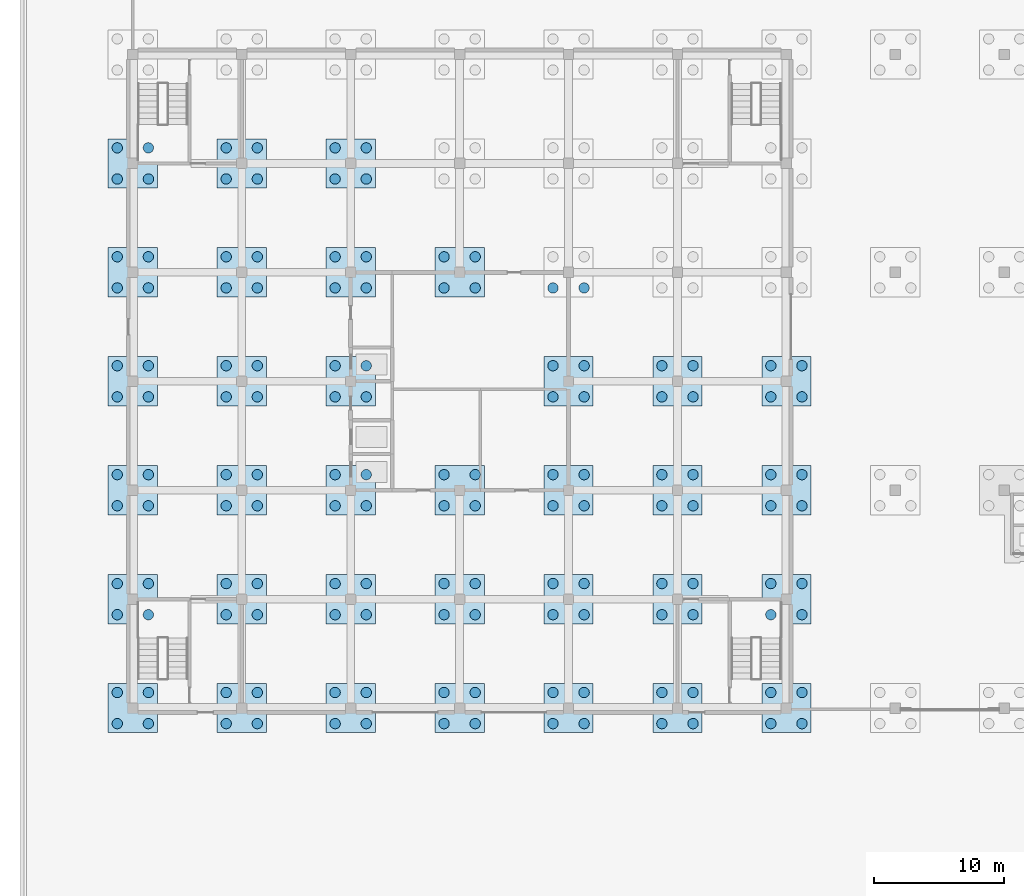
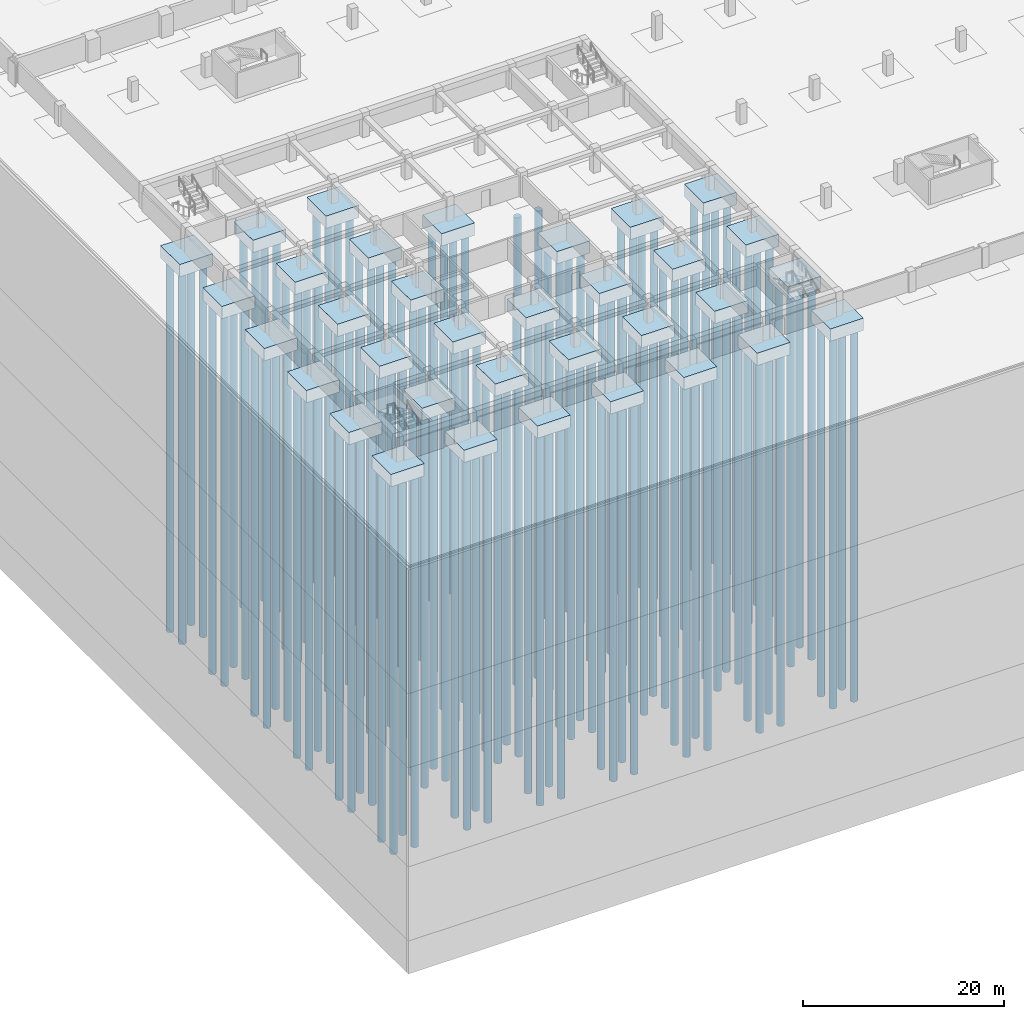
# One storey, part 1 of 67: 138 piles, 34 footings.
"""IFC4 building model written with IfcOpenShell, lengths in metres."""

from ifc_helpers import new_model, si_unit, direction, frame, origin, origin_2d, place, context, subcontext, project, spatial, polyline, circle, outline, extrude, material, material_profile, profile_set, type_object, element, save


model = new_model("IFC4")

# Units and contexts
model_context = context("Model", 3, precision=1e-05, world=origin(), true_north=direction((0.0, 1.0)))
body_context = subcontext(model_context, "Body", "Model", "MODEL_VIEW")
ifc_project = project(units=[si_unit("LENGTHUNIT", "METRE"), si_unit("AREAUNIT", "SQUARE_METRE"), si_unit("VOLUMEUNIT", "CUBIC_METRE"), si_unit("PLANEANGLEUNIT", "RADIAN"), si_unit("MASSUNIT", "GRAM", prefix="KILO")], contexts=[model_context])

# Site, building, storey
site_placement = place(None, origin())
site = spatial("IfcSite", under=ifc_project, at=site_placement, CompositionType="ELEMENT")
building_placement = place(site_placement, origin())
building = spatial("IfcBuilding", under=site, at=building_placement, Name="Rain Tree Exposition and Congress Centre", CompositionType="ELEMENT")
storey_placement = place(building_placement, frame((0.0, 0.0, -3.0)))
storey = spatial("IfcBuildingStorey", under=building, at=storey_placement, Name="B1", CompositionType="ELEMENT", Elevation=-3.0)

# Piles
ifc_material_1 = material(Name="Concrete C35/45", Category="concrete")
ifc_material_profile = material_profile(ifc_material_1, circle(Radius=0.39990234375, at=origin_2d()), Name="D800")
ifc_profile_set = profile_set([ifc_material_profile], Name="Concrete C35/45")
pile_type = type_object("IfcPileType", Name="Bored pile D800", PredefinedType="BORED", material=ifc_profile_set)
for number, where, z_axis, x_axis, name in (
    (1, (7.199951171875, -1.199951171875, -1.425048828125), (0.0, 0.0, -1.0), (1.0, 0.0, 0.0), "Bored pile 0001"),
    (2, (9.60009765625, -1.199951171875, -1.425048828125), (0.0, 0.0, -1.0), (1.0, 0.0, 0.0), "Bored pile 0002"),
    (3, (7.199951171875, 1.199951171875, -1.425048828125), (0.0, 0.0, -1.0), (1.0, 0.0, 0.0), "Bored pile 0003"),
    (4, (9.60009765625, 1.199951171875, -1.425048828125), (0.0, 0.0, -1.0), (1.0, 0.0, 0.0), "Bored pile 0004"),
    (5, (32.39990234375, -1.199951171875, -1.425048828125), (0.0, 0.0, -1.0), (1.0, 0.0, 0.0), "Bored pile 0005"),
    (6, (34.800048828125, -1.199951171875, -1.425048828125), (0.0, 0.0, -1.0), (1.0, 0.0, 0.0), "Bored pile 0006"),
    (7, (32.39990234375, 1.199951171875, -1.425048828125), (0.0, 0.0, -1.0), (1.0, 0.0, 0.0), "Bored pile 0007"),
    (8, (34.800048828125, 1.199951171875, -1.425048828125), (0.0, 0.0, -1.0), (1.0, 0.0, 0.0), "Bored pile 0008"),
    (9, (15.60009765625, -1.199951171875, -1.425048828125), (0.0, 0.0, -1.0), (1.0, 0.0, 0.0), "Bored pile 0009"),
    (10, (18.0, -1.199951171875, -1.425048828125), (0.0, 0.0, -1.0), (1.0, 0.0, 0.0), "Bored pile 0010"),
    (11, (15.60009765625, 1.199951171875, -1.425048828125), (0.0, 0.0, -1.0), (1.0, 0.0, 0.0), "Bored pile 0011"),
    (12, (18.0, 1.199951171875, -1.425048828125), (0.0, 0.0, -1.0), (1.0, 0.0, 0.0), "Bored pile 0012"),
    (13, (-1.199951171875, -1.199951171875, -1.425048828125), (0.0, 0.0, -1.0), (1.0, 0.0, 0.0), "Bored pile 0013"),
    (14, (1.199951171875, -1.199951171875, -1.425048828125), (0.0, 0.0, -1.0), (1.0, 0.0, 0.0), "Bored pile 0014"),
    (15, (-1.199951171875, 1.199951171875, -1.425048828125), (0.0, 0.0, -1.0), (1.0, 0.0, 0.0), "Bored pile 0015"),
    (16, (1.199951171875, 1.199951171875, -1.425048828125), (0.0, 0.0, -1.0), (1.0, 0.0, 0.0), "Bored pile 0016"),
    (17, (24.0, -1.199951171875, -1.425048828125), (0.0, 0.0, -1.0), (1.0, 0.0, 0.0), "Bored pile 0017"),
    (18, (26.39990234375, -1.199951171875, -1.425048828125), (0.0, 0.0, -1.0), (1.0, 0.0, 0.0), "Bored pile 0018"),
    (19, (24.0, 1.199951171875, -1.425048828125), (0.0, 0.0, -1.0), (1.0, 0.0, 0.0), "Bored pile 0019"),
    (20, (26.39990234375, 1.199951171875, -1.425048828125), (0.0, 0.0, -1.0), (1.0, 0.0, 0.0), "Bored pile 0020"),
    (21, (15.60009765625, 7.199951171875, -1.425048828125), (0.0, 0.0, -1.0), (1.0, 0.0, 0.0), "Bored pile 0021"),
    (22, (18.0, 7.199951171875, -1.425048828125), (0.0, 0.0, -1.0), (1.0, 0.0, 0.0), "Bored pile 0022"),
    (23, (15.60009765625, 9.60009765625, -1.425048828125), (0.0, 0.0, -1.0), (1.0, 0.0, 0.0), "Bored pile 0023"),
    (24, (18.0, 9.60009765625, -1.425048828125), (0.0, 0.0, -1.0), (1.0, 0.0, 0.0), "Bored pile 0024"),
    (25, (7.199951171875, 7.199951171875, -1.425048828125), (0.0, 0.0, -1.0), (1.0, 0.0, 0.0), "Bored pile 0025"),
    (26, (9.60009765625, 7.199951171875, -1.425048828125), (0.0, 0.0, -1.0), (1.0, 0.0, 0.0), "Bored pile 0026"),
    (27, (7.199951171875, 9.60009765625, -1.425048828125), (0.0, 0.0, -1.0), (1.0, 0.0, 0.0), "Bored pile 0027"),
    (28, (9.60009765625, 9.60009765625, -1.425048828125), (0.0, 0.0, -1.0), (1.0, 0.0, 0.0), "Bored pile 0028"),
    (29, (-1.199951171875, 7.199951171875, -1.425048828125), (0.0, 0.0, -1.0), (1.0, 0.0, 0.0), "Bored pile 0029"),
    (30, (1.199951171875, 7.199951171875, -1.425048828125), (0.0, 0.0, -1.0), (1.0, 0.0, 0.0), "Bored pile 0030"),
    (31, (-1.199951171875, 9.60009765625, -1.425048828125), (0.0, 0.0, -1.0), (1.0, 0.0, 0.0), "Bored pile 0031"),
    (32, (1.199951171875, 9.60009765625, -1.425048828125), (0.0, 0.0, -1.0), (1.0, 0.0, 0.0), "Bored pile 0032"),
    (33, (24.0, 7.199951171875, -1.425048828125), (0.0, 0.0, -1.0), (1.0, 0.0, 0.0), "Bored pile 0033"),
    (34, (26.39990234375, 7.199951171875, -1.425048828125), (0.0, 0.0, -1.0), (1.0, 0.0, 0.0), "Bored pile 0034"),
    (35, (24.0, 9.60009765625, -1.425048828125), (0.0, 0.0, -1.0), (1.0, 0.0, 0.0), "Bored pile 0035"),
    (36, (26.39990234375, 9.60009765625, -1.425048828125), (0.0, 0.0, -1.0), (1.0, 0.0, 0.0), "Bored pile 0036"),
    (37, (32.39990234375, 7.199951171875, -1.425048828125), (0.0, 0.0, -1.0), (1.0, 0.0, 0.0), "Bored pile 0037"),
    (38, (34.800048828125, 7.199951171875, -1.425048828125), (0.0, 0.0, -1.0), (1.0, 0.0, 0.0), "Bored pile 0038"),
    (39, (32.39990234375, 9.60009765625, -1.425048828125), (0.0, 0.0, -1.0), (1.0, 0.0, 0.0), "Bored pile 0039"),
    (40, (34.800048828125, 9.60009765625, -1.425048828125), (0.0, 0.0, -1.0), (1.0, 0.0, 0.0), "Bored pile 0040"),
    (41, (15.60009765625, 15.60009765625, -1.425048828125), (0.0, 0.0, -1.0), (1.0, 0.0, 0.0), "Bored pile 0041"),
    (42, (18.0, 15.60009765625, -1.425048828125), (0.0, 0.0, -1.0), (1.0, 0.0, 0.0), "Bored pile 0042"),
    (43, (15.60009765625, 18.0, -1.425048828125), (0.0, 0.0, -1.0), (1.0, 0.0, 0.0), "Bored pile 0043"),
    (44, (18.0, 18.0, -1.425048828125), (0.0, 0.0, -1.0), (1.0, 0.0, 0.0), "Bored pile 0044"),
    (45, (-1.199951171875, 15.60009765625, -1.425048828125), (0.0, 0.0, -1.0), (1.0, 0.0, 0.0), "Bored pile 0045"),
    (46, (1.199951171875, 15.60009765625, -1.425048828125), (0.0, 0.0, -1.0), (1.0, 0.0, 0.0), "Bored pile 0046"),
    (47, (-1.199951171875, 18.0, -1.425048828125), (0.0, 0.0, -1.0), (1.0, 0.0, 0.0), "Bored pile 0047"),
    (48, (1.199951171875, 18.0, -1.425048828125), (0.0, 0.0, -1.0), (1.0, 0.0, 0.0), "Bored pile 0048"),
    (49, (24.0, 15.60009765625, -1.425048828125), (0.0, 0.0, -1.0), (1.0, 0.0, 0.0), "Bored pile 0049"),
    (50, (26.39990234375, 15.60009765625, -1.425048828125), (0.0, 0.0, -1.0), (1.0, 0.0, 0.0), "Bored pile 0050"),
    (51, (24.0, 18.0, -1.425048828125), (0.0, 0.0, -1.0), (1.0, 0.0, 0.0), "Bored pile 0051"),
    (52, (26.39990234375, 18.0, -1.425048828125), (0.0, 0.0, -1.0), (1.0, 0.0, 0.0), "Bored pile 0052"),
    (53, (7.199951171875, 15.60009765625, -1.425048828125), (0.0, 0.0, -1.0), (1.0, 0.0, 0.0), "Bored pile 0053"),
    (54, (9.60009765625, 15.60009765625, -1.425048828125), (0.0, 0.0, -1.0), (1.0, 0.0, 0.0), "Bored pile 0054"),
    (55, (7.199951171875, 18.0, -1.425048828125), (0.0, 0.0, -1.0), (1.0, 0.0, 0.0), "Bored pile 0055"),
    (56, (9.60009765625, 18.0, -1.425048828125), (0.0, 0.0, -1.0), (1.0, 0.0, 0.0), "Bored pile 0056"),
    (57, (32.39990234375, 15.60009765625, -1.425048828125), (0.0, 0.0, -1.0), (1.0, 0.0, 0.0), "Bored pile 0057"),
    (58, (34.800048828125, 15.60009765625, -1.425048828125), (0.0, 0.0, -1.0), (1.0, 0.0, 0.0), "Bored pile 0058"),
    (59, (32.39990234375, 18.0, -1.425048828125), (0.0, 0.0, -1.0), (1.0, 0.0, 0.0), "Bored pile 0059"),
    (60, (34.800048828125, 18.0, -1.425048828125), (0.0, 0.0, -1.0), (1.0, 0.0, 0.0), "Bored pile 0060"),
    (61, (32.39990234375, 24.0, -1.425048828125), (0.0, 0.0, -1.0), (1.0, 0.0, 0.0), "Bored pile 0061"),
    (62, (34.800048828125, 24.0, -1.425048828125), (0.0, 0.0, -1.0), (1.0, 0.0, 0.0), "Bored pile 0062"),
    (63, (32.39990234375, 26.39990234375, -1.425048828125), (0.0, 0.0, -1.0), (1.0, 0.0, 0.0), "Bored pile 0063"),
    (64, (34.800048828125, 26.39990234375, -1.425048828125), (0.0, 0.0, -1.0), (1.0, 0.0, 0.0), "Bored pile 0064"),
    (65, (15.60009765625, 24.0, -1.425048828125), (0.0, 0.0, -1.0), (1.0, 0.0, 0.0), "Bored pile 0065"),
    (66, (18.0, 24.0, -1.425048828125), (0.0, 0.0, -1.0), (1.0, 0.0, 0.0), "Bored pile 0066"),
    (67, (15.60009765625, 26.39990234375, -1.425048828125), (0.0, 0.0, -1.0), (1.0, 0.0, 0.0), "Bored pile 0067"),
    (68, (18.0, 26.39990234375, -1.425048828125), (0.0, 0.0, -1.0), (1.0, 0.0, 0.0), "Bored pile 0068"),
    (69, (7.199951171875, 24.0, -1.425048828125), (0.0, 0.0, -1.0), (1.0, 0.0, 0.0), "Bored pile 0069"),
    (70, (9.60009765625, 24.0, -1.425048828125), (0.0, 0.0, -1.0), (1.0, 0.0, 0.0), "Bored pile 0070"),
    (71, (7.199951171875, 26.39990234375, -1.425048828125), (0.0, 0.0, -1.0), (1.0, 0.0, 0.0), "Bored pile 0071"),
    (72, (9.60009765625, 26.39990234375, -1.425048828125), (0.0, 0.0, -1.0), (1.0, 0.0, 0.0), "Bored pile 0072"),
    (73, (-1.199951171875, 24.0, -1.425048828125), (0.0, 0.0, -1.0), (1.0, 0.0, 0.0), "Bored pile 0073"),
    (74, (1.199951171875, 24.0, -1.425048828125), (0.0, 0.0, -1.0), (1.0, 0.0, 0.0), "Bored pile 0074"),
    (75, (-1.199951171875, 26.39990234375, -1.425048828125), (0.0, 0.0, -1.0), (1.0, 0.0, 0.0), "Bored pile 0075"),
    (76, (1.199951171875, 26.39990234375, -1.425048828125), (0.0, 0.0, -1.0), (1.0, 0.0, 0.0), "Bored pile 0076"),
    (77, (24.0, 32.39990234375, -1.425048828125), (0.0, 0.0, -1.0), (1.0, 0.0, 0.0), "Bored pile 0077"),
    (78, (26.39990234375, 32.39990234375, -1.425048828125), (0.0, 0.0, -1.0), (1.0, 0.0, 0.0), "Bored pile 0078"),
    (79, (24.0, 34.800048828125, -1.425048828125), (0.0, 0.0, -1.0), (1.0, 0.0, 0.0), "Bored pile 0079"),
    (80, (26.39990234375, 34.800048828125, -1.425048828125), (0.0, 0.0, -1.0), (1.0, 0.0, 0.0), "Bored pile 0080"),
    (81, (32.39990234375, 32.39990234375, -1.425048828125), (0.0, 0.0, -1.0), (1.0, 0.0, 0.0), "Bored pile 0081"),
    (82, (34.800048828125, 32.39990234375, -1.425048828125), (0.0, 0.0, -1.0), (1.0, 0.0, 0.0), "Bored pile 0082"),
    (83, (7.199951171875, 32.39990234375, -1.425048828125), (0.0, 0.0, -1.0), (1.0, 0.0, 0.0), "Bored pile 0085"),
    (84, (9.60009765625, 32.39990234375, -1.425048828125), (0.0, 0.0, -1.0), (1.0, 0.0, 0.0), "Bored pile 0086"),
    (85, (7.199951171875, 34.800048828125, -1.425048828125), (0.0, 0.0, -1.0), (1.0, 0.0, 0.0), "Bored pile 0087"),
    (86, (9.60009765625, 34.800048828125, -1.425048828125), (0.0, 0.0, -1.0), (1.0, 0.0, 0.0), "Bored pile 0088"),
    (87, (15.60009765625, 32.39990234375, -1.425048828125), (0.0, 0.0, -1.0), (1.0, 0.0, 0.0), "Bored pile 0089"),
    (88, (18.0, 32.39990234375, -1.425048828125), (0.0, 0.0, -1.0), (1.0, 0.0, 0.0), "Bored pile 0090"),
    (89, (15.60009765625, 34.800048828125, -1.425048828125), (0.0, 0.0, -1.0), (1.0, 0.0, 0.0), "Bored pile 0091"),
    (90, (18.0, 34.800048828125, -1.425048828125), (0.0, 0.0, -1.0), (1.0, 0.0, 0.0), "Bored pile 0092"),
    (91, (-1.199951171875, 32.39990234375, -1.425048828125), (0.0, 0.0, -1.0), (1.0, 0.0, 0.0), "Bored pile 0093"),
    (92, (1.199951171875, 32.39990234375, -1.425048828125), (0.0, 0.0, -1.0), (1.0, 0.0, 0.0), "Bored pile 0094"),
    (93, (-1.199951171875, 34.800048828125, -1.425048828125), (0.0, 0.0, -1.0), (1.0, 0.0, 0.0), "Bored pile 0095"),
    (94, (1.199951171875, 34.800048828125, -1.425048828125), (0.0, 0.0, -1.0), (1.0, 0.0, 0.0), "Bored pile 0096"),
    (95, (15.60009765625, 40.800048828125, -1.425048828125), (0.0, 0.0, -1.0), (1.0, 0.0, 0.0), "Bored pile 0097"),
    (96, (18.0, 40.800048828125, -1.425048828125), (0.0, 0.0, -1.0), (1.0, 0.0, 0.0), "Bored pile 0098"),
    (97, (15.60009765625, 43.199951171875, -1.425048828125), (0.0, 0.0, -1.0), (1.0, 0.0, 0.0), "Bored pile 0099"),
    (98, (18.0, 43.199951171875, -1.425048828125), (0.0, 0.0, -1.0), (1.0, 0.0, 0.0), "Bored pile 0100"),
    (99, (-1.199951171875, 40.800048828125, -1.425048828125), (0.0, 0.0, -1.0), (1.0, 0.0, 0.0), "Bored pile 0101"),
    (100, (1.199951171875, 40.800048828125, -1.425048828125), (0.0, 0.0, -1.0), (1.0, 0.0, 0.0), "Bored pile 0102"),
    (101, (-1.199951171875, 43.199951171875, -1.425048828125), (0.0, 0.0, -1.0), (1.0, 0.0, 0.0), "Bored pile 0103"),
    (102, (1.199951171875, 43.199951171875, -1.425048828125), (0.0, 0.0, -1.0), (1.0, 0.0, 0.0), "Bored pile 0104"),
    (103, (7.199951171875, 40.800048828125, -1.425048828125), (0.0, 0.0, -1.0), (1.0, 0.0, 0.0), "Bored pile 0105"),
    (104, (9.60009765625, 40.800048828125, -1.425048828125), (0.0, 0.0, -1.0), (1.0, 0.0, 0.0), "Bored pile 0106"),
    (105, (7.199951171875, 43.199951171875, -1.425048828125), (0.0, 0.0, -1.0), (1.0, 0.0, 0.0), "Bored pile 0107"),
    (106, (9.60009765625, 43.199951171875, -1.425048828125), (0.0, 0.0, -1.0), (1.0, 0.0, 0.0), "Bored pile 0108"),
    (107, (40.800048828125, -1.199951171875, -1.425048828125), (0.0, 0.0, -1.0), (1.0, 0.0, 0.0), "Bored pile 0283"),
    (108, (43.199951171875, -1.199951171875, -1.425048828125), (0.0, 0.0, -1.0), (1.0, 0.0, 0.0), "Bored pile 0284"),
    (109, (40.800048828125, 1.199951171875, -1.425048828125), (0.0, 0.0, -1.0), (1.0, 0.0, 0.0), "Bored pile 0285"),
    (110, (43.199951171875, 1.199951171875, -1.425048828125), (0.0, 0.0, -1.0), (1.0, 0.0, 0.0), "Bored pile 0286"),
    (111, (49.199951171875, -1.199951171875, -1.425048828125), (0.0, 0.0, -1.0), (1.0, 0.0, 0.0), "Bored pile 0287"),
    (112, (51.60009765625, -1.199951171875, -1.425048828125), (0.0, 0.0, -1.0), (1.0, 0.0, 0.0), "Bored pile 0288"),
    (113, (49.199951171875, 1.199951171875, -1.425048828125), (0.0, 0.0, -1.0), (1.0, 0.0, 0.0), "Bored pile 0289"),
    (114, (51.60009765625, 1.199951171875, -1.425048828125), (0.0, 0.0, -1.0), (1.0, 0.0, 0.0), "Bored pile 0290"),
    (115, (49.199951171875, 7.199951171875, -1.425048828125), (0.0, 0.0, -1.0), (1.0, 0.0, 0.0), "Bored pile 0291"),
    (116, (51.60009765625, 7.199951171875, -1.425048828125), (0.0, 0.0, -1.0), (1.0, 0.0, 0.0), "Bored pile 0292"),
    (117, (49.199951171875, 9.60009765625, -1.425048828125), (0.0, 0.0, -1.0), (1.0, 0.0, 0.0), "Bored pile 0293"),
    (118, (51.60009765625, 9.60009765625, -1.425048828125), (0.0, 0.0, -1.0), (1.0, 0.0, 0.0), "Bored pile 0294"),
    (119, (40.800048828125, 7.199951171875, -1.425048828125), (0.0, 0.0, -1.0), (1.0, 0.0, 0.0), "Bored pile 0295"),
    (120, (43.199951171875, 7.199951171875, -1.425048828125), (0.0, 0.0, -1.0), (1.0, 0.0, 0.0), "Bored pile 0296"),
    (121, (40.800048828125, 9.60009765625, -1.425048828125), (0.0, 0.0, -1.0), (1.0, 0.0, 0.0), "Bored pile 0297"),
    (122, (43.199951171875, 9.60009765625, -1.425048828125), (0.0, 0.0, -1.0), (1.0, 0.0, 0.0), "Bored pile 0298"),
    (123, (49.199951171875, 15.60009765625, -1.425048828125), (0.0, 0.0, -1.0), (1.0, 0.0, 0.0), "Bored pile 0303"),
    (124, (51.60009765625, 15.60009765625, -1.425048828125), (0.0, 0.0, -1.0), (1.0, 0.0, 0.0), "Bored pile 0304"),
    (125, (49.199951171875, 18.0, -1.425048828125), (0.0, 0.0, -1.0), (1.0, 0.0, 0.0), "Bored pile 0305"),
    (126, (51.60009765625, 18.0, -1.425048828125), (0.0, 0.0, -1.0), (1.0, 0.0, 0.0), "Bored pile 0306"),
    (127, (40.800048828125, 15.60009765625, -1.425048828125), (0.0, 0.0, -1.0), (1.0, 0.0, 0.0), "Bored pile 0321"),
    (128, (43.199951171875, 15.60009765625, -1.425048828125), (0.0, 0.0, -1.0), (1.0, 0.0, 0.0), "Bored pile 0322"),
    (129, (40.800048828125, 18.0, -1.425048828125), (0.0, 0.0, -1.0), (1.0, 0.0, 0.0), "Bored pile 0323"),
    (130, (43.199951171875, 18.0, -1.425048828125), (0.0, 0.0, -1.0), (1.0, 0.0, 0.0), "Bored pile 0324"),
    (131, (49.199951171875, 24.0, -1.425048828125), (0.0, 0.0, -1.0), (1.0, 0.0, 0.0), "Bored pile 0325"),
    (132, (51.60009765625, 24.0, -1.425048828125), (0.0, 0.0, -1.0), (1.0, 0.0, 0.0), "Bored pile 0326"),
    (133, (49.199951171875, 26.39990234375, -1.425048828125), (0.0, 0.0, -1.0), (1.0, 0.0, 0.0), "Bored pile 0327"),
    (134, (51.60009765625, 26.39990234375, -1.425048828125), (0.0, 0.0, -1.0), (1.0, 0.0, 0.0), "Bored pile 0328"),
    (135, (40.800048828125, 24.0, -1.425048828125), (0.0, 0.0, -1.0), (1.0, 0.0, 0.0), "Bored pile 0329"),
    (136, (43.199951171875, 24.0, -1.425048828125), (0.0, 0.0, -1.0), (1.0, 0.0, 0.0), "Bored pile 0330"),
    (137, (40.800048828125, 26.39990234375, -1.425048828125), (0.0, 0.0, -1.0), (1.0, 0.0, 0.0), "Bored pile 0331"),
    (138, (43.199951171875, 26.39990234375, -1.425048828125), (0.0, 0.0, -1.0), (1.0, 0.0, 0.0), "Bored pile 0332"),
):
    element("IfcPile", number, at=place(storey_placement, frame(where, z_axis=z_axis, x_axis=x_axis)), inside=storey, type_object=pile_type, Name=name, PredefinedType="BORED", context=body_context, shape_type="SweptSolid", body=[
        extrude(circle(Radius=0.39990234375, at=origin_2d()), origin(), (0.0, 0.0, 1.0), 45.074951171875),
    ])

# Footings
ifc_material_2 = material(Name="Concrete C35/45", Category="concrete")
footing_type = type_object("IfcFootingType", Name="Pile cap 1500 thick", PredefinedType="PILE_CAP", material=ifc_material_2)
footing_1_placement = place(storey_placement, frame((0.0, 0.0, -1.5)))
element("IfcFooting", 139, at=footing_1_placement, inside=storey, type_object=footing_type, Name="Pile cap 001", PredefinedType="PILE_CAP", context=body_context, shape_type="SweptSolid", body=[
    extrude(outline(polyline([(10.300048828125, -1.89990234375), (10.300048828125, 1.89990234375), (6.5, 1.89990234375), (6.5, -1.89990234375), (10.300048828125, -1.89990234375)])), origin(), (0.0, 0.0, 1.0), 1.5),
])
footing_2_placement = place(storey_placement, frame((0.0, 0.0, -1.5)))
element("IfcFooting", 140, at=footing_2_placement, inside=storey, type_object=footing_type, Name="Pile cap 002", PredefinedType="PILE_CAP", context=body_context, shape_type="SweptSolid", body=[
    extrude(outline(polyline([(35.5, -1.89990234375), (35.5, 1.89990234375), (31.699951171875, 1.89990234375), (31.699951171875, -1.89990234375), (35.5, -1.89990234375)])), origin(), (0.0, 0.0, 1.0), 1.5),
])
footing_3_placement = place(storey_placement, frame((0.0, 0.0, -1.5)))
element("IfcFooting", 141, at=footing_3_placement, inside=storey, type_object=footing_type, Name="Pile cap 003", PredefinedType="PILE_CAP", context=body_context, shape_type="SweptSolid", body=[
    extrude(outline(polyline([(18.699951171875, -1.89990234375), (18.699951171875, 1.89990234375), (14.89990234375, 1.89990234375), (14.89990234375, -1.89990234375), (18.699951171875, -1.89990234375)])), origin(), (0.0, 0.0, 1.0), 1.5),
])
footing_4_placement = place(storey_placement, frame((0.0, 0.0, -1.5)))
element("IfcFooting", 142, at=footing_4_placement, inside=storey, type_object=footing_type, Name="Pile cap 004", PredefinedType="PILE_CAP", context=body_context, shape_type="SweptSolid", body=[
    extrude(outline(polyline([(1.89990234375, -1.89990234375), (1.89990234375, 1.89990234375), (-1.89990234375, 1.89990234375), (-1.89990234375, -1.89990234375), (1.89990234375, -1.89990234375)])), origin(), (0.0, 0.0, 1.0), 1.5),
])
footing_5_placement = place(storey_placement, frame((0.0, 0.0, -1.5)))
element("IfcFooting", 143, at=footing_5_placement, inside=storey, type_object=footing_type, Name="Pile cap 005", PredefinedType="PILE_CAP", context=body_context, shape_type="SweptSolid", body=[
    extrude(outline(polyline([(27.10009765625, -1.89990234375), (27.10009765625, 1.89990234375), (23.300048828125, 1.89990234375), (23.300048828125, -1.89990234375), (27.10009765625, -1.89990234375)])), origin(), (0.0, 0.0, 1.0), 1.5),
])
footing_6_placement = place(storey_placement, frame((0.0, 0.0, -1.5)))
element("IfcFooting", 144, at=footing_6_placement, inside=storey, type_object=footing_type, Name="Pile cap 006", PredefinedType="PILE_CAP", context=body_context, shape_type="SweptSolid", body=[
    extrude(outline(polyline([(18.699951171875, 6.5), (18.699951171875, 10.300048828125), (14.89990234375, 10.300048828125), (14.89990234375, 6.5), (18.699951171875, 6.5)])), origin(), (0.0, 0.0, 1.0), 1.5),
])
footing_7_placement = place(storey_placement, frame((0.0, 0.0, -1.5)))
element("IfcFooting", 145, at=footing_7_placement, inside=storey, type_object=footing_type, Name="Pile cap 007", PredefinedType="PILE_CAP", context=body_context, shape_type="SweptSolid", body=[
    extrude(outline(polyline([(10.300048828125, 6.5), (10.300048828125, 10.300048828125), (6.5, 10.300048828125), (6.5, 6.5), (10.300048828125, 6.5)])), origin(), (0.0, 0.0, 1.0), 1.5),
])
footing_8_placement = place(storey_placement, frame((0.0, 0.0, -1.5)))
element("IfcFooting", 146, at=footing_8_placement, inside=storey, type_object=footing_type, Name="Pile cap 008", PredefinedType="PILE_CAP", context=body_context, shape_type="SweptSolid", body=[
    extrude(outline(polyline([(1.89990234375, 6.5), (1.89990234375, 10.300048828125), (-1.89990234375, 10.300048828125), (-1.89990234375, 6.5), (1.89990234375, 6.5)])), origin(), (0.0, 0.0, 1.0), 1.5),
])
footing_9_placement = place(storey_placement, frame((0.0, 0.0, -1.5)))
element("IfcFooting", 147, at=footing_9_placement, inside=storey, type_object=footing_type, Name="Pile cap 009", PredefinedType="PILE_CAP", context=body_context, shape_type="SweptSolid", body=[
    extrude(outline(polyline([(27.10009765625, 6.5), (27.10009765625, 10.300048828125), (23.300048828125, 10.300048828125), (23.300048828125, 6.5), (27.10009765625, 6.5)])), origin(), (0.0, 0.0, 1.0), 1.5),
])
footing_10_placement = place(storey_placement, frame((0.0, 0.0, -1.5)))
element("IfcFooting", 148, at=footing_10_placement, inside=storey, type_object=footing_type, Name="Pile cap 010", PredefinedType="PILE_CAP", context=body_context, shape_type="SweptSolid", body=[
    extrude(outline(polyline([(35.5, 6.5), (35.5, 10.300048828125), (31.699951171875, 10.300048828125), (31.699951171875, 6.5), (35.5, 6.5)])), origin(), (0.0, 0.0, 1.0), 1.5),
])
footing_11_placement = place(storey_placement, frame((0.0, 0.0, -1.5)))
element("IfcFooting", 149, at=footing_11_placement, inside=storey, type_object=footing_type, Name="Pile cap 011", PredefinedType="PILE_CAP", context=body_context, shape_type="SweptSolid", body=[
    extrude(outline(polyline([(18.699951171875, 14.89990234375), (18.699951171875, 18.699951171875), (14.89990234375, 18.699951171875), (14.89990234375, 14.89990234375), (18.699951171875, 14.89990234375)])), origin(), (0.0, 0.0, 1.0), 1.5),
])
footing_12_placement = place(storey_placement, frame((0.0, 0.0, -1.5)))
element("IfcFooting", 150, at=footing_12_placement, inside=storey, type_object=footing_type, Name="Pile cap 012", PredefinedType="PILE_CAP", context=body_context, shape_type="SweptSolid", body=[
    extrude(outline(polyline([(1.89990234375, 14.89990234375), (1.89990234375, 18.699951171875), (-1.89990234375, 18.699951171875), (-1.89990234375, 14.89990234375), (1.89990234375, 14.89990234375)])), origin(), (0.0, 0.0, 1.0), 1.5),
])
footing_13_placement = place(storey_placement, frame((0.0, 0.0, -1.5)))
element("IfcFooting", 151, at=footing_13_placement, inside=storey, type_object=footing_type, Name="Pile cap 013", PredefinedType="PILE_CAP", context=body_context, shape_type="SweptSolid", body=[
    extrude(outline(polyline([(27.10009765625, 14.89990234375), (27.10009765625, 18.699951171875), (23.300048828125, 18.699951171875), (23.300048828125, 14.89990234375), (27.10009765625, 14.89990234375)])), origin(), (0.0, 0.0, 1.0), 1.5),
])
footing_14_placement = place(storey_placement, frame((0.0, 0.0, -1.5)))
element("IfcFooting", 152, at=footing_14_placement, inside=storey, type_object=footing_type, Name="Pile cap 014", PredefinedType="PILE_CAP", context=body_context, shape_type="SweptSolid", body=[
    extrude(outline(polyline([(10.300048828125, 14.89990234375), (10.300048828125, 18.699951171875), (6.5, 18.699951171875), (6.5, 14.89990234375), (10.300048828125, 14.89990234375)])), origin(), (0.0, 0.0, 1.0), 1.5),
])
footing_15_placement = place(storey_placement, frame((0.0, 0.0, -1.5)))
element("IfcFooting", 153, at=footing_15_placement, inside=storey, type_object=footing_type, Name="Pile cap 015", PredefinedType="PILE_CAP", context=body_context, shape_type="SweptSolid", body=[
    extrude(outline(polyline([(35.5, 14.89990234375), (35.5, 18.699951171875), (31.699951171875, 18.699951171875), (31.699951171875, 14.89990234375), (35.5, 14.89990234375)])), origin(), (0.0, 0.0, 1.0), 1.5),
])
footing_16_placement = place(storey_placement, frame((0.0, 0.0, -1.5)))
element("IfcFooting", 154, at=footing_16_placement, inside=storey, type_object=footing_type, Name="Pile cap 016", PredefinedType="PILE_CAP", context=body_context, shape_type="SweptSolid", body=[
    extrude(outline(polyline([(35.5, 23.300048828125), (35.5, 27.10009765625), (31.699951171875, 27.10009765625), (31.699951171875, 23.300048828125), (35.5, 23.300048828125)])), origin(), (0.0, 0.0, 1.0), 1.5),
])
footing_17_placement = place(storey_placement, frame((0.0, 0.0, -1.5)))
element("IfcFooting", 155, at=footing_17_placement, inside=storey, type_object=footing_type, Name="Pile cap 017", PredefinedType="PILE_CAP", context=body_context, shape_type="SweptSolid", body=[
    extrude(outline(polyline([(18.699951171875, 23.300048828125), (18.699951171875, 27.10009765625), (14.89990234375, 27.10009765625), (14.89990234375, 23.300048828125), (18.699951171875, 23.300048828125)])), origin(), (0.0, 0.0, 1.0), 1.5),
])
footing_18_placement = place(storey_placement, frame((0.0, 0.0, -1.5)))
element("IfcFooting", 156, at=footing_18_placement, inside=storey, type_object=footing_type, Name="Pile cap 018", PredefinedType="PILE_CAP", context=body_context, shape_type="SweptSolid", body=[
    extrude(outline(polyline([(10.300048828125, 23.300048828125), (10.300048828125, 27.10009765625), (6.5, 27.10009765625), (6.5, 23.300048828125), (10.300048828125, 23.300048828125)])), origin(), (0.0, 0.0, 1.0), 1.5),
])
footing_19_placement = place(storey_placement, frame((0.0, 0.0, -1.5)))
element("IfcFooting", 157, at=footing_19_placement, inside=storey, type_object=footing_type, Name="Pile cap 019", PredefinedType="PILE_CAP", context=body_context, shape_type="SweptSolid", body=[
    extrude(outline(polyline([(1.89990234375, 23.300048828125), (1.89990234375, 27.10009765625), (-1.89990234375, 27.10009765625), (-1.89990234375, 23.300048828125), (1.89990234375, 23.300048828125)])), origin(), (0.0, 0.0, 1.0), 1.5),
])
footing_20_placement = place(storey_placement, frame((0.0, 0.0, -1.5)))
element("IfcFooting", 158, at=footing_20_placement, inside=storey, type_object=footing_type, Name="Pile cap 020", PredefinedType="PILE_CAP", context=body_context, shape_type="SweptSolid", body=[
    extrude(outline(polyline([(27.10009765625, 31.699951171875), (27.10009765625, 35.5), (23.300048828125, 35.5), (23.300048828125, 31.699951171875), (27.10009765625, 31.699951171875)])), origin(), (0.0, 0.0, 1.0), 1.5),
])
footing_21_placement = place(storey_placement, frame((0.0, 0.0, -1.5)))
element("IfcFooting", 159, at=footing_21_placement, inside=storey, type_object=footing_type, Name="Pile cap 022", PredefinedType="PILE_CAP", context=body_context, shape_type="SweptSolid", body=[
    extrude(outline(polyline([(10.300048828125, 31.699951171875), (10.300048828125, 35.5), (6.5, 35.5), (6.5, 31.699951171875), (10.300048828125, 31.699951171875)])), origin(), (0.0, 0.0, 1.0), 1.5),
])
footing_22_placement = place(storey_placement, frame((0.0, 0.0, -1.5)))
element("IfcFooting", 160, at=footing_22_placement, inside=storey, type_object=footing_type, Name="Pile cap 023", PredefinedType="PILE_CAP", context=body_context, shape_type="SweptSolid", body=[
    extrude(outline(polyline([(18.699951171875, 31.699951171875), (18.699951171875, 35.5), (14.89990234375, 35.5), (14.89990234375, 31.699951171875), (18.699951171875, 31.699951171875)])), origin(), (0.0, 0.0, 1.0), 1.5),
])
footing_23_placement = place(storey_placement, frame((0.0, 0.0, -1.5)))
element("IfcFooting", 161, at=footing_23_placement, inside=storey, type_object=footing_type, Name="Pile cap 024", PredefinedType="PILE_CAP", context=body_context, shape_type="SweptSolid", body=[
    extrude(outline(polyline([(1.89990234375, 31.699951171875), (1.89990234375, 35.5), (-1.89990234375, 35.5), (-1.89990234375, 31.699951171875), (1.89990234375, 31.699951171875)])), origin(), (0.0, 0.0, 1.0), 1.5),
])
footing_24_placement = place(storey_placement, frame((0.0, 0.0, -1.5)))
element("IfcFooting", 162, at=footing_24_placement, inside=storey, type_object=footing_type, Name="Pile cap 025", PredefinedType="PILE_CAP", context=body_context, shape_type="SweptSolid", body=[
    extrude(outline(polyline([(18.699951171875, 40.10009765625), (18.699951171875, 43.89990234375), (14.89990234375, 43.89990234375), (14.89990234375, 40.10009765625), (18.699951171875, 40.10009765625)])), origin(), (0.0, 0.0, 1.0), 1.5),
])
footing_25_placement = place(storey_placement, frame((0.0, 0.0, -1.5)))
element("IfcFooting", 163, at=footing_25_placement, inside=storey, type_object=footing_type, Name="Pile cap 026", PredefinedType="PILE_CAP", context=body_context, shape_type="SweptSolid", body=[
    extrude(outline(polyline([(1.89990234375, 40.10009765625), (1.89990234375, 43.89990234375), (-1.89990234375, 43.89990234375), (-1.89990234375, 40.10009765625), (1.89990234375, 40.10009765625)])), origin(), (0.0, 0.0, 1.0), 1.5),
])
footing_26_placement = place(storey_placement, frame((0.0, 0.0, -1.5)))
element("IfcFooting", 164, at=footing_26_placement, inside=storey, type_object=footing_type, Name="Pile cap 027", PredefinedType="PILE_CAP", context=body_context, shape_type="SweptSolid", body=[
    extrude(outline(polyline([(10.300048828125, 40.10009765625), (10.300048828125, 43.89990234375), (6.5, 43.89990234375), (6.5, 40.10009765625), (10.300048828125, 40.10009765625)])), origin(), (0.0, 0.0, 1.0), 1.5),
])
footing_27_placement = place(storey_placement, frame((0.0, 0.0, -1.5)))
element("IfcFooting", 165, at=footing_27_placement, inside=storey, type_object=footing_type, Name="Pile cap 057", PredefinedType="PILE_CAP", context=body_context, shape_type="SweptSolid", body=[
    extrude(outline(polyline([(43.89990234375, -1.89990234375), (43.89990234375, 1.89990234375), (40.10009765625, 1.89990234375), (40.10009765625, -1.89990234375), (43.89990234375, -1.89990234375)])), origin(), (0.0, 0.0, 1.0), 1.5),
])
footing_28_placement = place(storey_placement, frame((0.0, 0.0, -1.5)))
element("IfcFooting", 166, at=footing_28_placement, inside=storey, type_object=footing_type, Name="Pile cap 058", PredefinedType="PILE_CAP", context=body_context, shape_type="SweptSolid", body=[
    extrude(outline(polyline([(52.300048828125, -1.89990234375), (52.300048828125, 1.89990234375), (48.5, 1.89990234375), (48.5, -1.89990234375), (52.300048828125, -1.89990234375)])), origin(), (0.0, 0.0, 1.0), 1.5),
])
footing_29_placement = place(storey_placement, frame((0.0, 0.0, -1.5)))
element("IfcFooting", 167, at=footing_29_placement, inside=storey, type_object=footing_type, Name="Pile cap 059", PredefinedType="PILE_CAP", context=body_context, shape_type="SweptSolid", body=[
    extrude(outline(polyline([(52.300048828125, 6.5), (52.300048828125, 10.300048828125), (48.5, 10.300048828125), (48.5, 6.5), (52.300048828125, 6.5)])), origin(), (0.0, 0.0, 1.0), 1.5),
])
footing_30_placement = place(storey_placement, frame((0.0, 0.0, -1.5)))
element("IfcFooting", 168, at=footing_30_placement, inside=storey, type_object=footing_type, Name="Pile cap 060", PredefinedType="PILE_CAP", context=body_context, shape_type="SweptSolid", body=[
    extrude(outline(polyline([(43.89990234375, 6.5), (43.89990234375, 10.300048828125), (40.10009765625, 10.300048828125), (40.10009765625, 6.5), (43.89990234375, 6.5)])), origin(), (0.0, 0.0, 1.0), 1.5),
])
footing_31_placement = place(storey_placement, frame((0.0, 0.0, -1.5)))
element("IfcFooting", 169, at=footing_31_placement, inside=storey, type_object=footing_type, Name="Pile cap 062", PredefinedType="PILE_CAP", context=body_context, shape_type="SweptSolid", body=[
    extrude(outline(polyline([(52.300048828125, 14.89990234375), (52.300048828125, 18.699951171875), (48.5, 18.699951171875), (48.5, 14.89990234375), (52.300048828125, 14.89990234375)])), origin(), (0.0, 0.0, 1.0), 1.5),
])
footing_32_placement = place(storey_placement, frame((0.0, 0.0, -1.5)))
element("IfcFooting", 170, at=footing_32_placement, inside=storey, type_object=footing_type, Name="Pile cap 063", PredefinedType="PILE_CAP", context=body_context, shape_type="SweptSolid", body=[
    extrude(outline(polyline([(43.89990234375, 14.89990234375), (43.89990234375, 18.699951171875), (40.10009765625, 18.699951171875), (40.10009765625, 14.89990234375), (43.89990234375, 14.89990234375)])), origin(), (0.0, 0.0, 1.0), 1.5),
])
footing_33_placement = place(storey_placement, frame((0.0, 0.0, -1.5)))
element("IfcFooting", 171, at=footing_33_placement, inside=storey, type_object=footing_type, Name="Pile cap 064", PredefinedType="PILE_CAP", context=body_context, shape_type="SweptSolid", body=[
    extrude(outline(polyline([(52.300048828125, 23.300048828125), (52.300048828125, 27.10009765625), (48.5, 27.10009765625), (48.5, 23.300048828125), (52.300048828125, 23.300048828125)])), origin(), (0.0, 0.0, 1.0), 1.5),
])
footing_34_placement = place(storey_placement, frame((0.0, 0.0, -1.5)))
element("IfcFooting", 172, at=footing_34_placement, inside=storey, type_object=footing_type, Name="Pile cap 065", PredefinedType="PILE_CAP", context=body_context, shape_type="SweptSolid", body=[
    extrude(outline(polyline([(43.89990234375, 23.300048828125), (43.89990234375, 27.10009765625), (40.10009765625, 27.10009765625), (40.10009765625, 23.300048828125), (43.89990234375, 23.300048828125)])), origin(), (0.0, 0.0, 1.0), 1.5),
])

save(model, "model.ifc")
